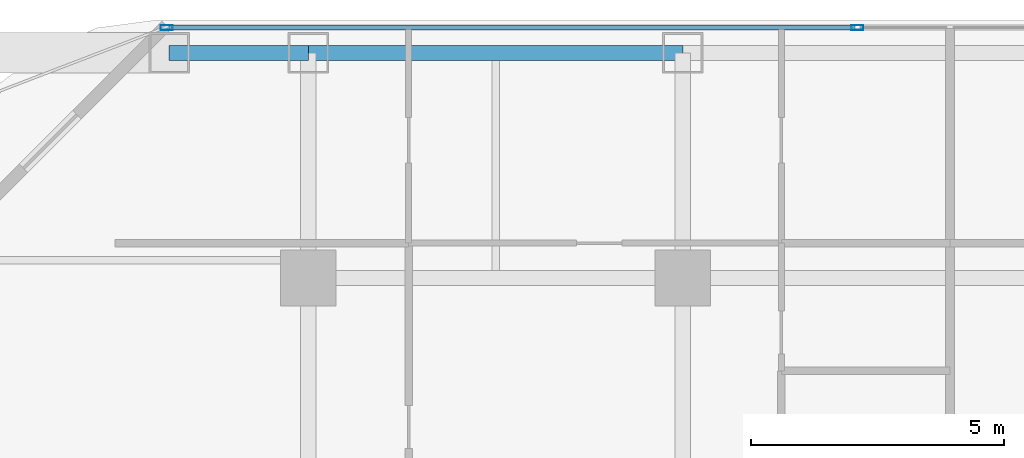
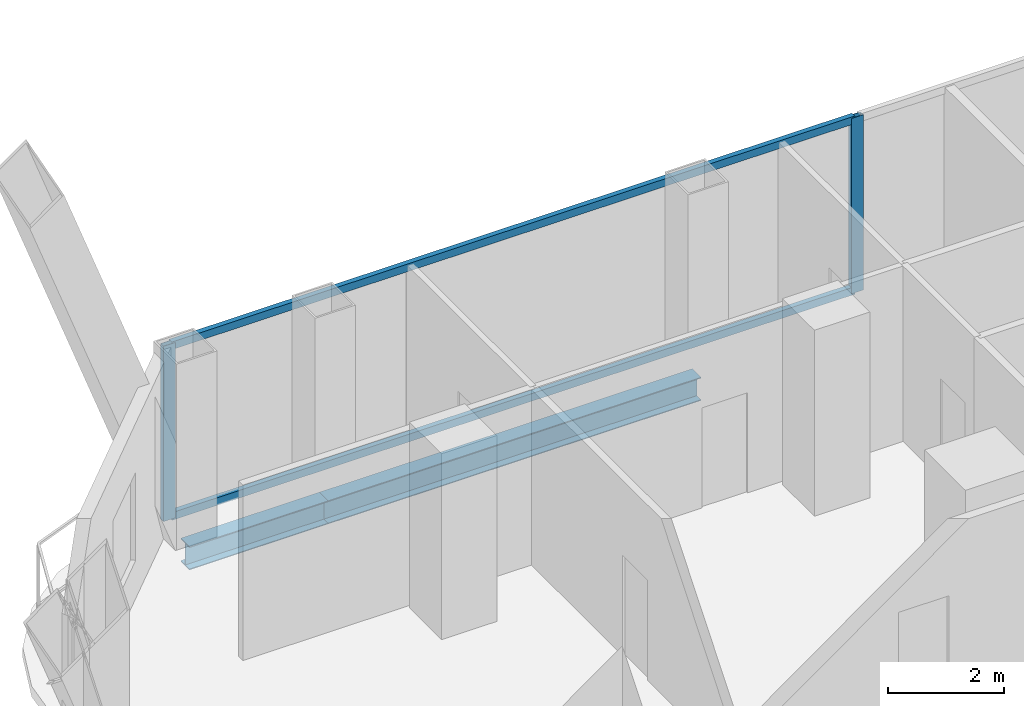
# One storey, part 19 of 33: 4 members, 2 beams, 1 element without a shape of its own.
"""IFC4 building model written with IfcOpenShell, lengths in metres."""

from ifc_helpers import new_model, si_unit, direction, frame, origin, origin_2d, place, context, subcontext, project, spatial, hollow_rectangle, i_section, extrude, material, layer, layer_set, material_profile, profile_set, type_object, element, aggregate, save


model = new_model("IFC4")

# Units and contexts
model_context = context("Model", 3, precision=1e-05, world=origin(), true_north=direction((0.0, 1.0)))
body_context = subcontext(model_context, "Body", "Model", "MODEL_VIEW")
ifc_project = project(units=[si_unit("LENGTHUNIT", "METRE"), si_unit("AREAUNIT", "SQUARE_METRE"), si_unit("VOLUMEUNIT", "CUBIC_METRE"), si_unit("PLANEANGLEUNIT", "RADIAN"), si_unit("MASSUNIT", "GRAM", prefix="KILO")], contexts=[model_context])

# Site, building, storey
site_placement = place(None, origin())
site = spatial("IfcSite", under=ifc_project, at=site_placement, CompositionType="ELEMENT")
building_placement = place(site_placement, origin())
building = spatial("IfcBuilding", under=site, at=building_placement, Name="Khorvyn Point Tower", CompositionType="ELEMENT")
storey_placement = place(building_placement, frame((0.0, 0.0, 38.39990234375)))
storey = spatial("IfcBuildingStorey", under=building, at=storey_placement, Name="L10", CompositionType="ELEMENT", Elevation=38.39990234375)

# Curtain wall, members
ifc_material_1 = material(Name="Anodised aluminium 6063-T6 and laminated Low-E glass", Category="aluminium")
ifc_layer = layer(ifc_material_1, 0.18994140625)
ifc_layer_set = layer_set([ifc_layer], Name="Stick-Built Finned Residential Curtain Wall CW-SYS-02")
curtain_wall_type = type_object("IfcCurtainWallType", Name="Stick-Built Finned Residential Curtain Wall CW-SYS-02", PredefinedType="NOTDEFINED", material=ifc_layer_set)
curtain_wall_placement = place(storey_placement, origin())
curtain_wall = element("IfcCurtainWall", 1, at=curtain_wall_placement, inside=storey, type_object=curtain_wall_type, Name="Curtain Wall", PredefinedType="NOTDEFINED")
ifc_material_2 = material(Name="Anodised aluminium 6063-T6", Category="aluminium")
ifc_material_profile_1 = material_profile(ifc_material_2, hollow_rectangle(XDim=0.10009765625, YDim=0.239990234375, WallThickness=0.0048828125, at=origin_2d()))
ifc_profile_set_1 = profile_set([ifc_material_profile_1], Name="Anodised aluminium 6063-T6 ALU-MUL-100x240")
member_type_1 = type_object("IfcMemberType", Name="Anodised Aluminium 6063-T6 Mullion ALU-MUL-100x240", PredefinedType="MULLION", material=ifc_profile_set_1)
member_1_placement = place(storey_placement, frame((-17.60009765625, 25.050048828125, 0.0), z_axis=(0.0, 0.0, 1.0), x_axis=(0.0, 1.0, 0.0)))
member_1 = element("IfcMember", 2, at=member_1_placement, type_object=member_type_1, Name="Transom", PredefinedType="MULLION", context=body_context, shape_type="SweptSolid", body=[
    extrude(hollow_rectangle(XDim=0.10009765625, YDim=0.239990234375, WallThickness=0.0048828125, at=origin_2d()), origin(), (0.0, 0.0, 1.0), 3.68017578125),
])
member_2_placement = place(storey_placement, frame((-3.949951171875, 25.050048828125, 0.0), z_axis=(0.0, 0.0, 1.0), x_axis=(0.0, 1.0, 0.0)))
member_2 = element("IfcMember", 3, at=member_2_placement, type_object=member_type_1, Name="Transom", PredefinedType="MULLION", context=body_context, shape_type="SweptSolid", body=[
    extrude(hollow_rectangle(XDim=0.10009765625, YDim=0.239990234375, WallThickness=0.0048828125, at=origin_2d()), origin(), (0.0, 0.0, 1.0), 3.68017578125),
])
ifc_material_profile_2 = material_profile(ifc_material_2, hollow_rectangle(XDim=0.10009765625, YDim=0.159912109375, WallThickness=0.00439453125, at=origin_2d()))
ifc_profile_set_2 = profile_set([ifc_material_profile_2], Name="Anodised aluminium 6063-T6 ALU-TRN-100x160")
member_type_2 = type_object("IfcMemberType", Name="Anodised Aluminium 6063-T6 Transom ALU-TRN-100x160", PredefinedType="USERDEFINED", material=ifc_profile_set_2)
member_3_placement = place(storey_placement, frame((-17.550048828125, 25.050048828125, 0.050048828125), z_axis=(1.0, 0.0, 0.0), x_axis=(0.0, 1.0, 0.0)))
member_3 = element("IfcMember", 4, at=member_3_placement, type_object=member_type_2, Name="Transom", ObjectType="TRANSOM", PredefinedType="USERDEFINED", context=body_context, shape_type="SweptSolid", body=[
    extrude(hollow_rectangle(XDim=0.10009765625, YDim=0.159912109375, WallThickness=0.00439453125, at=origin_2d()), origin(), (0.0, 0.0, 1.0), 13.550048828125),
])
member_4_placement = place(storey_placement, frame((-17.550048828125, 25.050048828125, 3.630126953125), z_axis=(1.0, 0.0, 0.0), x_axis=(0.0, 1.0, 0.0)))
member_4 = element("IfcMember", 5, at=member_4_placement, type_object=member_type_2, Name="Transom", ObjectType="TRANSOM", PredefinedType="USERDEFINED", context=body_context, shape_type="SweptSolid", body=[
    extrude(hollow_rectangle(XDim=0.10009765625, YDim=0.159912109375, WallThickness=0.00439453125, at=origin_2d()), origin(), (0.0, 0.0, 1.0), 13.550048828125),
])
aggregate(curtain_wall, [member_1, member_2, member_3, member_4])

# Beams
ifc_material_3 = material(Name="Steel S355", Category="steel")
ifc_material_profile_3 = material_profile(ifc_material_3, i_section(OverallWidth=0.300048828125, OverallDepth=0.488037109375, WebThickness=0.010986328125, FlangeThickness=0.01806640625, at=origin_2d()))
ifc_profile_set_3 = profile_set([ifc_material_profile_3], Name="Steel S355 H488x300x11x18")
beam_type = type_object("IfcBeamType", Name="Steel S355 Spandrel H488x300x11x18", PredefinedType="SPANDREL", material=ifc_profile_set_3)
beam_1_placement = place(storey_placement, frame((-17.550048828125, 24.550048828125, -0.4638671875), z_axis=(1.0, 0.0, 0.0), x_axis=(0.0, 1.0, 0.0)))
element("IfcBeam", 6, at=beam_1_placement, inside=storey, type_object=beam_type, Name="Beam", PredefinedType="SPANDREL", context=body_context, shape_type="SweptSolid", body=[
    extrude(i_section(OverallWidth=0.300048828125, OverallDepth=0.488037109375, WebThickness=0.010986328125, FlangeThickness=0.01806640625, at=origin_2d()), origin(), (0.0, 0.0, 1.0), 2.75),
])
beam_2_placement = place(storey_placement, frame((-14.800048828125, 24.550048828125, -0.4638671875), z_axis=(1.0, 0.0, 0.0), x_axis=(0.0, 1.0, 0.0)))
element("IfcBeam", 7, at=beam_2_placement, inside=storey, type_object=beam_type, Name="Beam", PredefinedType="SPANDREL", context=body_context, shape_type="SweptSolid", body=[
    extrude(i_section(OverallWidth=0.300048828125, OverallDepth=0.488037109375, WebThickness=0.010986328125, FlangeThickness=0.01806640625, at=origin_2d()), origin(), (0.0, 0.0, 1.0), 7.400146484375),
])

save(model, "model.ifc")
